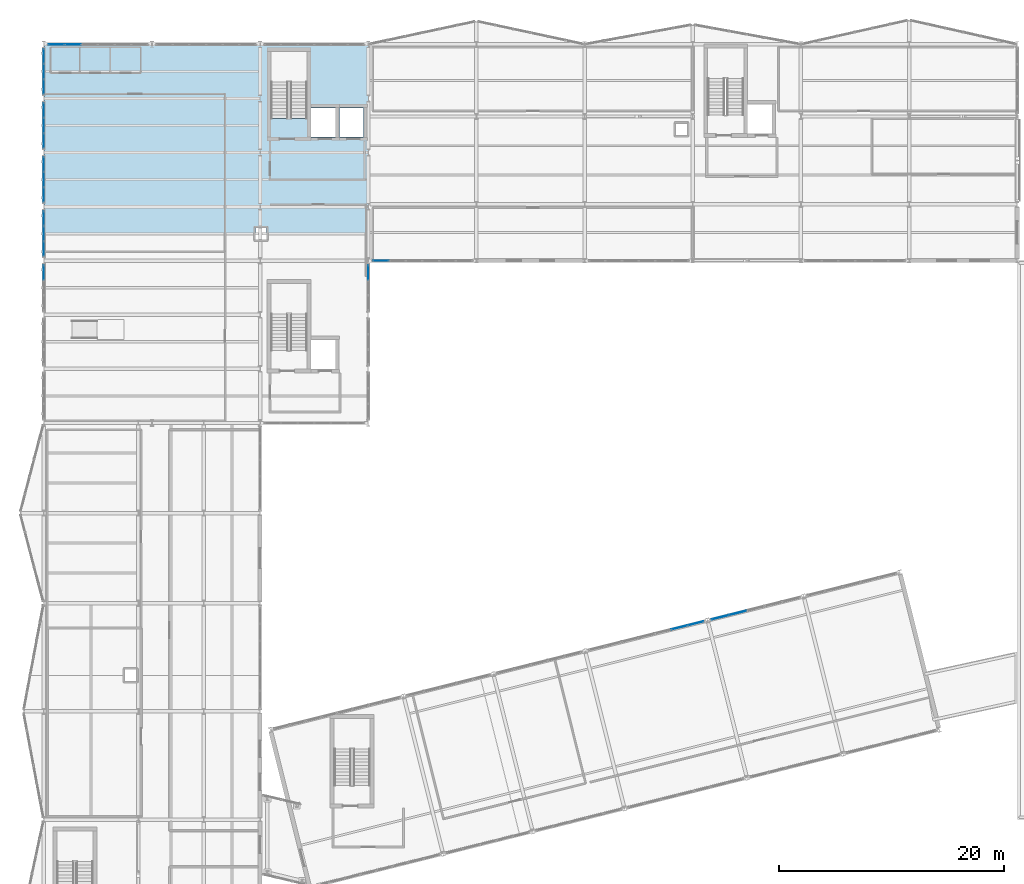
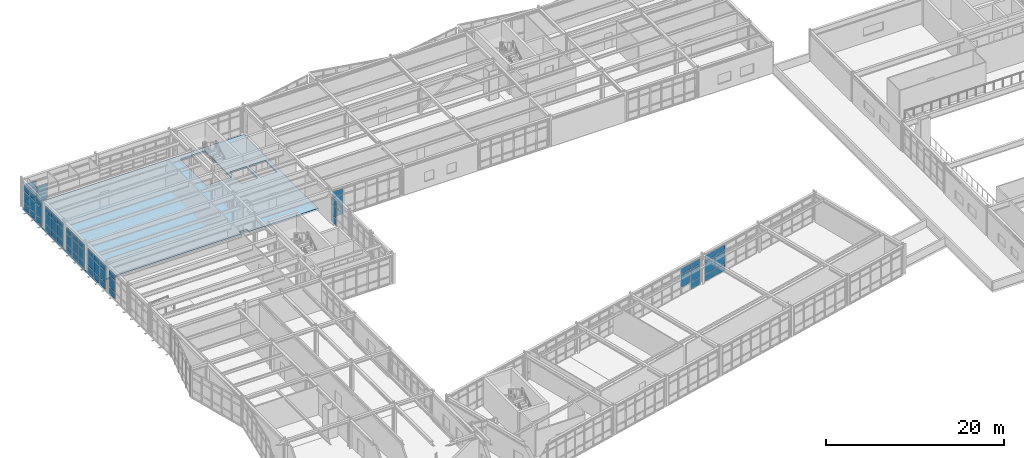
# One storey, part 51 of 76: 61 plates, 1 slab, 10 elements without a shape of their own.
"""IFC4 building model written with IfcOpenShell, lengths in metres."""

from ifc_helpers import new_model, si_unit, direction, frame, origin, origin_2d, place, context, subcontext, project, spatial, polyline, rectangle, outline, extrude, material, layer, layer_set, type_object, element, aggregate, save


model = new_model("IFC4")

# Units and contexts
model_context = context("Model", 3, precision=1e-05, world=origin(), true_north=direction((0.0, 1.0)))
body_context = subcontext(model_context, "Body", "Model", "MODEL_VIEW")
ifc_project = project(units=[si_unit("LENGTHUNIT", "METRE"), si_unit("AREAUNIT", "SQUARE_METRE"), si_unit("VOLUMEUNIT", "CUBIC_METRE"), si_unit("PLANEANGLEUNIT", "RADIAN"), si_unit("MASSUNIT", "GRAM", prefix="KILO")], contexts=[model_context])

# Site, building, storey
site_placement = place(None, origin())
site = spatial("IfcSite", under=ifc_project, at=site_placement, CompositionType="ELEMENT")
building_placement = place(site_placement, origin())
building = spatial("IfcBuilding", under=site, at=building_placement, Name="Nordkorset Police Headquarters", CompositionType="ELEMENT")
storey_placement = place(building_placement, frame((0.0, 0.0, 13.64990234375)))
storey = spatial("IfcBuildingStorey", under=building, at=storey_placement, Name="L03", CompositionType="ELEMENT", Elevation=13.64990234375)

# Curtain wall, plates
ifc_material_1 = material(Name="Aluminium alloy AW-6060", Category="aluminium")
ifc_layer_1 = layer(ifc_material_1, 0.179931640625, Name="Aluminium alloy AW-6060")
ifc_layer_set_1 = layer_set([ifc_layer_1], Name="Aluminium alloy AW-6060")
curtain_wall_type_1 = type_object("IfcCurtainWallType", Name="CW_Unit_408x342", PredefinedType="USERDEFINED", material=ifc_layer_set_1)
curtain_wall_1_placement = place(storey_placement, origin())
curtain_wall_1 = element("IfcCurtainWall", 1, at=curtain_wall_1_placement, inside=storey, type_object=curtain_wall_type_1, Name="Unitised Curtain Wall L03 V1W-2", ObjectType="UNITISED CURTAIN WALL", PredefinedType="USERDEFINED")
ifc_material_2 = material(Name="Low-iron triple glazing", Category="glass")
ifc_layer_2 = layer(ifc_material_2, 0.035888671875, Name="Low-iron triple glazing")
ifc_layer_set_2 = layer_set([ifc_layer_2], Name="Low-iron triple glazing")
plate_type = type_object("IfcPlateType", Name="CW_Panel_TripleGlazing_36", PredefinedType="CURTAIN_PANEL", material=ifc_layer_set_2)
plate_1_placement = place(storey_placement, frame((0.0, 96.543701171875, 0.06494140625), z_axis=(0.0, 0.0, 1.0), x_axis=(0.0, 1.0, 0.0)))
plate_1 = element("IfcPlate", 2, at=plate_1_placement, type_object=plate_type, Name="CW-72 panel 3.1", PredefinedType="CURTAIN_PANEL", context=body_context, shape_type="SweptSolid", body=[
    extrude(rectangle(XDim=1.262451171875, YDim=0.035888671875, at=origin_2d()), origin(), (0.0, 0.0, 1.0), 0.902587890625),
])
plate_2_placement = place(storey_placement, frame((0.0, 96.543701171875, 1.03271484375), z_axis=(0.0, 0.0, 1.0), x_axis=(0.0, 1.0, 0.0)))
plate_2 = element("IfcPlate", 3, at=plate_2_placement, type_object=plate_type, Name="CW-72 panel 3.2", PredefinedType="CURTAIN_PANEL", context=body_context, shape_type="SweptSolid", body=[
    extrude(rectangle(XDim=1.262451171875, YDim=0.035888671875, at=origin_2d()), origin(), (0.0, 0.0, 1.0), 1.5048828125),
])
plate_3_placement = place(storey_placement, frame((0.0, 96.543701171875, 2.6025390625), z_axis=(0.0, 0.0, 1.0), x_axis=(0.0, 1.0, 0.0)))
plate_3 = element("IfcPlate", 4, at=plate_3_placement, type_object=plate_type, Name="CW-72 panel 3.3", PredefinedType="CURTAIN_PANEL", context=body_context, shape_type="SweptSolid", body=[
    extrude(rectangle(XDim=1.262451171875, YDim=0.035888671875, at=origin_2d()), origin(), (0.0, 0.0, 1.0), 0.75244140625),
])
aggregate(curtain_wall_1, [plate_1, plate_2, plate_3])

curtain_wall_2_placement = place(storey_placement, origin())
curtain_wall_2 = element("IfcCurtainWall", 5, at=curtain_wall_2_placement, inside=storey, type_object=curtain_wall_type_1, Name="Unitised Curtain Wall L03 V1W-3", ObjectType="UNITISED CURTAIN WALL", PredefinedType="USERDEFINED")
plate_4_placement = place(storey_placement, frame((0.0, 98.65625, 0.06494140625), z_axis=(0.0, 0.0, 1.0), x_axis=(0.0, 1.0, 0.0)))
plate_4 = element("IfcPlate", 6, at=plate_4_placement, type_object=plate_type, Name="CW-72 panel 1.1", PredefinedType="CURTAIN_PANEL", context=body_context, shape_type="SweptSolid", body=[
    extrude(rectangle(XDim=1.262451171875, YDim=0.035888671875, at=origin_2d()), origin(), (0.0, 0.0, 1.0), 0.902587890625),
])
plate_5_placement = place(storey_placement, frame((0.0, 98.65625, 1.03271484375), z_axis=(0.0, 0.0, 1.0), x_axis=(0.0, 1.0, 0.0)))
plate_5 = element("IfcPlate", 7, at=plate_5_placement, type_object=plate_type, Name="CW-72 panel 1.2", PredefinedType="CURTAIN_PANEL", context=body_context, shape_type="SweptSolid", body=[
    extrude(rectangle(XDim=1.262451171875, YDim=0.035888671875, at=origin_2d()), origin(), (0.0, 0.0, 1.0), 1.5048828125),
])
plate_6_placement = place(storey_placement, frame((0.0, 98.65625, 2.6025390625), z_axis=(0.0, 0.0, 1.0), x_axis=(0.0, 1.0, 0.0)))
plate_6 = element("IfcPlate", 8, at=plate_6_placement, type_object=plate_type, Name="CW-72 panel 1.3", PredefinedType="CURTAIN_PANEL", context=body_context, shape_type="SweptSolid", body=[
    extrude(rectangle(XDim=1.262451171875, YDim=0.035888671875, at=origin_2d()), origin(), (0.0, 0.0, 1.0), 0.75244140625),
])
plate_7_placement = place(storey_placement, frame((0.0, 100.0, 0.06494140625), z_axis=(0.0, 0.0, 1.0), x_axis=(0.0, 1.0, 0.0)))
plate_7 = element("IfcPlate", 9, at=plate_7_placement, type_object=plate_type, Name="CW-72 panel 2.1", PredefinedType="CURTAIN_PANEL", context=body_context, shape_type="SweptSolid", body=[
    extrude(rectangle(XDim=1.294921875, YDim=0.035888671875, at=origin_2d()), origin(), (0.0, 0.0, 1.0), 0.902587890625),
])
plate_8_placement = place(storey_placement, frame((0.0, 100.0, 1.03271484375), z_axis=(0.0, 0.0, 1.0), x_axis=(0.0, 1.0, 0.0)))
plate_8 = element("IfcPlate", 10, at=plate_8_placement, type_object=plate_type, Name="CW-72 panel 2.2", PredefinedType="CURTAIN_PANEL", context=body_context, shape_type="SweptSolid", body=[
    extrude(rectangle(XDim=1.294921875, YDim=0.035888671875, at=origin_2d()), origin(), (0.0, 0.0, 1.0), 1.5048828125),
])
plate_9_placement = place(storey_placement, frame((0.0, 100.0, 2.6025390625), z_axis=(0.0, 0.0, 1.0), x_axis=(0.0, 1.0, 0.0)))
plate_9 = element("IfcPlate", 11, at=plate_9_placement, type_object=plate_type, Name="CW-72 panel 2.3", PredefinedType="CURTAIN_PANEL", context=body_context, shape_type="SweptSolid", body=[
    extrude(rectangle(XDim=1.294921875, YDim=0.035888671875, at=origin_2d()), origin(), (0.0, 0.0, 1.0), 0.75244140625),
])
plate_10_placement = place(storey_placement, frame((0.0, 101.34375, 0.06494140625), z_axis=(0.0, 0.0, 1.0), x_axis=(0.0, 1.0, 0.0)))
plate_10 = element("IfcPlate", 12, at=plate_10_placement, type_object=plate_type, Name="CW-72 panel 3.1", PredefinedType="CURTAIN_PANEL", context=body_context, shape_type="SweptSolid", body=[
    extrude(rectangle(XDim=1.262451171875, YDim=0.035888671875, at=origin_2d()), origin(), (0.0, 0.0, 1.0), 0.902587890625),
])
plate_11_placement = place(storey_placement, frame((0.0, 101.34375, 1.03271484375), z_axis=(0.0, 0.0, 1.0), x_axis=(0.0, 1.0, 0.0)))
plate_11 = element("IfcPlate", 13, at=plate_11_placement, type_object=plate_type, Name="CW-72 panel 3.2", PredefinedType="CURTAIN_PANEL", context=body_context, shape_type="SweptSolid", body=[
    extrude(rectangle(XDim=1.262451171875, YDim=0.035888671875, at=origin_2d()), origin(), (0.0, 0.0, 1.0), 1.5048828125),
])
plate_12_placement = place(storey_placement, frame((0.0, 101.34375, 2.6025390625), z_axis=(0.0, 0.0, 1.0), x_axis=(0.0, 1.0, 0.0)))
plate_12 = element("IfcPlate", 14, at=plate_12_placement, type_object=plate_type, Name="CW-72 panel 3.3", PredefinedType="CURTAIN_PANEL", context=body_context, shape_type="SweptSolid", body=[
    extrude(rectangle(XDim=1.262451171875, YDim=0.035888671875, at=origin_2d()), origin(), (0.0, 0.0, 1.0), 0.75244140625),
])
aggregate(curtain_wall_2, [plate_4, plate_5, plate_6, plate_7, plate_8, plate_9, plate_10, plate_11, plate_12])

curtain_wall_3_placement = place(storey_placement, origin())
curtain_wall_3 = element("IfcCurtainWall", 15, at=curtain_wall_3_placement, inside=storey, type_object=curtain_wall_type_1, Name="Unitised Curtain Wall L03 V1W-4", ObjectType="UNITISED CURTAIN WALL", PredefinedType="USERDEFINED")
plate_13_placement = place(storey_placement, frame((0.0, 103.456298828125, 0.06494140625), z_axis=(0.0, 0.0, 1.0), x_axis=(0.0, 1.0, 0.0)))
plate_13 = element("IfcPlate", 16, at=plate_13_placement, type_object=plate_type, Name="CW-72 panel 1.1", PredefinedType="CURTAIN_PANEL", context=body_context, shape_type="SweptSolid", body=[
    extrude(rectangle(XDim=1.262451171875, YDim=0.035888671875, at=origin_2d()), origin(), (0.0, 0.0, 1.0), 0.902587890625),
])
plate_14_placement = place(storey_placement, frame((0.0, 103.456298828125, 1.03271484375), z_axis=(0.0, 0.0, 1.0), x_axis=(0.0, 1.0, 0.0)))
plate_14 = element("IfcPlate", 17, at=plate_14_placement, type_object=plate_type, Name="CW-72 panel 1.2", PredefinedType="CURTAIN_PANEL", context=body_context, shape_type="SweptSolid", body=[
    extrude(rectangle(XDim=1.262451171875, YDim=0.035888671875, at=origin_2d()), origin(), (0.0, 0.0, 1.0), 1.5048828125),
])
plate_15_placement = place(storey_placement, frame((0.0, 103.456298828125, 2.6025390625), z_axis=(0.0, 0.0, 1.0), x_axis=(0.0, 1.0, 0.0)))
plate_15 = element("IfcPlate", 18, at=plate_15_placement, type_object=plate_type, Name="CW-72 panel 1.3", PredefinedType="CURTAIN_PANEL", context=body_context, shape_type="SweptSolid", body=[
    extrude(rectangle(XDim=1.262451171875, YDim=0.035888671875, at=origin_2d()), origin(), (0.0, 0.0, 1.0), 0.75244140625),
])
plate_16_placement = place(storey_placement, frame((0.0, 104.800048828125, 0.06494140625), z_axis=(0.0, 0.0, 1.0), x_axis=(0.0, 1.0, 0.0)))
plate_16 = element("IfcPlate", 19, at=plate_16_placement, type_object=plate_type, Name="CW-72 panel 2.1", PredefinedType="CURTAIN_PANEL", context=body_context, shape_type="SweptSolid", body=[
    extrude(rectangle(XDim=1.294921875, YDim=0.035888671875, at=origin_2d()), origin(), (0.0, 0.0, 1.0), 0.902587890625),
])
plate_17_placement = place(storey_placement, frame((0.0, 104.800048828125, 1.03271484375), z_axis=(0.0, 0.0, 1.0), x_axis=(0.0, 1.0, 0.0)))
plate_17 = element("IfcPlate", 20, at=plate_17_placement, type_object=plate_type, Name="CW-72 panel 2.2", PredefinedType="CURTAIN_PANEL", context=body_context, shape_type="SweptSolid", body=[
    extrude(rectangle(XDim=1.294921875, YDim=0.035888671875, at=origin_2d()), origin(), (0.0, 0.0, 1.0), 1.5048828125),
])
plate_18_placement = place(storey_placement, frame((0.0, 104.800048828125, 2.6025390625), z_axis=(0.0, 0.0, 1.0), x_axis=(0.0, 1.0, 0.0)))
plate_18 = element("IfcPlate", 21, at=plate_18_placement, type_object=plate_type, Name="CW-72 panel 2.3", PredefinedType="CURTAIN_PANEL", context=body_context, shape_type="SweptSolid", body=[
    extrude(rectangle(XDim=1.294921875, YDim=0.035888671875, at=origin_2d()), origin(), (0.0, 0.0, 1.0), 0.75244140625),
])
plate_19_placement = place(storey_placement, frame((0.0, 106.143798828125, 0.06494140625), z_axis=(0.0, 0.0, 1.0), x_axis=(0.0, 1.0, 0.0)))
plate_19 = element("IfcPlate", 22, at=plate_19_placement, type_object=plate_type, Name="CW-72 panel 3.1", PredefinedType="CURTAIN_PANEL", context=body_context, shape_type="SweptSolid", body=[
    extrude(rectangle(XDim=1.262451171875, YDim=0.035888671875, at=origin_2d()), origin(), (0.0, 0.0, 1.0), 0.902587890625),
])
plate_20_placement = place(storey_placement, frame((0.0, 106.143798828125, 1.03271484375), z_axis=(0.0, 0.0, 1.0), x_axis=(0.0, 1.0, 0.0)))
plate_20 = element("IfcPlate", 23, at=plate_20_placement, type_object=plate_type, Name="CW-72 panel 3.2", PredefinedType="CURTAIN_PANEL", context=body_context, shape_type="SweptSolid", body=[
    extrude(rectangle(XDim=1.262451171875, YDim=0.035888671875, at=origin_2d()), origin(), (0.0, 0.0, 1.0), 1.5048828125),
])
plate_21_placement = place(storey_placement, frame((0.0, 106.143798828125, 2.6025390625), z_axis=(0.0, 0.0, 1.0), x_axis=(0.0, 1.0, 0.0)))
plate_21 = element("IfcPlate", 24, at=plate_21_placement, type_object=plate_type, Name="CW-72 panel 3.3", PredefinedType="CURTAIN_PANEL", context=body_context, shape_type="SweptSolid", body=[
    extrude(rectangle(XDim=1.262451171875, YDim=0.035888671875, at=origin_2d()), origin(), (0.0, 0.0, 1.0), 0.75244140625),
])
aggregate(curtain_wall_3, [plate_13, plate_14, plate_15, plate_16, plate_17, plate_18, plate_19, plate_20, plate_21])

curtain_wall_4_placement = place(storey_placement, origin())
curtain_wall_4 = element("IfcCurtainWall", 25, at=curtain_wall_4_placement, inside=storey, type_object=curtain_wall_type_1, Name="Unitised Curtain Wall L03 V1W-5", ObjectType="UNITISED CURTAIN WALL", PredefinedType="USERDEFINED")
plate_22_placement = place(storey_placement, frame((0.0, 108.25634765625, 0.06494140625), z_axis=(0.0, 0.0, 1.0), x_axis=(0.0, 1.0, 0.0)))
plate_22 = element("IfcPlate", 26, at=plate_22_placement, type_object=plate_type, Name="CW-72 panel 1.1", PredefinedType="CURTAIN_PANEL", context=body_context, shape_type="SweptSolid", body=[
    extrude(rectangle(XDim=1.262451171875, YDim=0.035888671875, at=origin_2d()), origin(), (0.0, 0.0, 1.0), 0.902587890625),
])
plate_23_placement = place(storey_placement, frame((0.0, 108.25634765625, 1.03271484375), z_axis=(0.0, 0.0, 1.0), x_axis=(0.0, 1.0, 0.0)))
plate_23 = element("IfcPlate", 27, at=plate_23_placement, type_object=plate_type, Name="CW-72 panel 1.2", PredefinedType="CURTAIN_PANEL", context=body_context, shape_type="SweptSolid", body=[
    extrude(rectangle(XDim=1.262451171875, YDim=0.035888671875, at=origin_2d()), origin(), (0.0, 0.0, 1.0), 1.5048828125),
])
plate_24_placement = place(storey_placement, frame((0.0, 108.25634765625, 2.6025390625), z_axis=(0.0, 0.0, 1.0), x_axis=(0.0, 1.0, 0.0)))
plate_24 = element("IfcPlate", 28, at=plate_24_placement, type_object=plate_type, Name="CW-72 panel 1.3", PredefinedType="CURTAIN_PANEL", context=body_context, shape_type="SweptSolid", body=[
    extrude(rectangle(XDim=1.262451171875, YDim=0.035888671875, at=origin_2d()), origin(), (0.0, 0.0, 1.0), 0.75244140625),
])
plate_25_placement = place(storey_placement, frame((0.0, 109.60009765625, 0.06494140625), z_axis=(0.0, 0.0, 1.0), x_axis=(0.0, 1.0, 0.0)))
plate_25 = element("IfcPlate", 29, at=plate_25_placement, type_object=plate_type, Name="CW-72 panel 2.1", PredefinedType="CURTAIN_PANEL", context=body_context, shape_type="SweptSolid", body=[
    extrude(rectangle(XDim=1.294921875, YDim=0.035888671875, at=origin_2d()), origin(), (0.0, 0.0, 1.0), 0.902587890625),
])
plate_26_placement = place(storey_placement, frame((0.0, 109.60009765625, 1.03271484375), z_axis=(0.0, 0.0, 1.0), x_axis=(0.0, 1.0, 0.0)))
plate_26 = element("IfcPlate", 30, at=plate_26_placement, type_object=plate_type, Name="CW-72 panel 2.2", PredefinedType="CURTAIN_PANEL", context=body_context, shape_type="SweptSolid", body=[
    extrude(rectangle(XDim=1.294921875, YDim=0.035888671875, at=origin_2d()), origin(), (0.0, 0.0, 1.0), 1.5048828125),
])
plate_27_placement = place(storey_placement, frame((0.0, 109.60009765625, 2.6025390625), z_axis=(0.0, 0.0, 1.0), x_axis=(0.0, 1.0, 0.0)))
plate_27 = element("IfcPlate", 31, at=plate_27_placement, type_object=plate_type, Name="CW-72 panel 2.3", PredefinedType="CURTAIN_PANEL", context=body_context, shape_type="SweptSolid", body=[
    extrude(rectangle(XDim=1.294921875, YDim=0.035888671875, at=origin_2d()), origin(), (0.0, 0.0, 1.0), 0.75244140625),
])
plate_28_placement = place(storey_placement, frame((0.0, 110.94384765625, 0.06494140625), z_axis=(0.0, 0.0, 1.0), x_axis=(0.0, 1.0, 0.0)))
plate_28 = element("IfcPlate", 32, at=plate_28_placement, type_object=plate_type, Name="CW-72 panel 3.1", PredefinedType="CURTAIN_PANEL", context=body_context, shape_type="SweptSolid", body=[
    extrude(rectangle(XDim=1.262451171875, YDim=0.035888671875, at=origin_2d()), origin(), (0.0, 0.0, 1.0), 0.902587890625),
])
plate_29_placement = place(storey_placement, frame((0.0, 110.94384765625, 1.03271484375), z_axis=(0.0, 0.0, 1.0), x_axis=(0.0, 1.0, 0.0)))
plate_29 = element("IfcPlate", 33, at=plate_29_placement, type_object=plate_type, Name="CW-72 panel 3.2", PredefinedType="CURTAIN_PANEL", context=body_context, shape_type="SweptSolid", body=[
    extrude(rectangle(XDim=1.262451171875, YDim=0.035888671875, at=origin_2d()), origin(), (0.0, 0.0, 1.0), 1.5048828125),
])
plate_30_placement = place(storey_placement, frame((0.0, 110.94384765625, 2.6025390625), z_axis=(0.0, 0.0, 1.0), x_axis=(0.0, 1.0, 0.0)))
plate_30 = element("IfcPlate", 34, at=plate_30_placement, type_object=plate_type, Name="CW-72 panel 3.3", PredefinedType="CURTAIN_PANEL", context=body_context, shape_type="SweptSolid", body=[
    extrude(rectangle(XDim=1.262451171875, YDim=0.035888671875, at=origin_2d()), origin(), (0.0, 0.0, 1.0), 0.75244140625),
])
aggregate(curtain_wall_4, [plate_22, plate_23, plate_24, plate_25, plate_26, plate_27, plate_28, plate_29, plate_30])

curtain_wall_5_placement = place(storey_placement, origin())
curtain_wall_5 = element("IfcCurtainWall", 35, at=curtain_wall_5_placement, inside=storey, type_object=curtain_wall_type_1, Name="Unitised Curtain Wall L03 V1W-6", ObjectType="UNITISED CURTAIN WALL", PredefinedType="USERDEFINED")
plate_31_placement = place(storey_placement, frame((0.0, 113.05615234375, 0.06494140625), z_axis=(0.0, 0.0, 1.0), x_axis=(0.0, 1.0, 0.0)))
plate_31 = element("IfcPlate", 36, at=plate_31_placement, type_object=plate_type, Name="CW-72 panel 1.1", PredefinedType="CURTAIN_PANEL", context=body_context, shape_type="SweptSolid", body=[
    extrude(rectangle(XDim=1.262451171875, YDim=0.035888671875, at=origin_2d()), origin(), (0.0, 0.0, 1.0), 0.902587890625),
])
plate_32_placement = place(storey_placement, frame((0.0, 113.05615234375, 1.03271484375), z_axis=(0.0, 0.0, 1.0), x_axis=(0.0, 1.0, 0.0)))
plate_32 = element("IfcPlate", 37, at=plate_32_placement, type_object=plate_type, Name="CW-72 panel 1.2", PredefinedType="CURTAIN_PANEL", context=body_context, shape_type="SweptSolid", body=[
    extrude(rectangle(XDim=1.262451171875, YDim=0.035888671875, at=origin_2d()), origin(), (0.0, 0.0, 1.0), 1.5048828125),
])
plate_33_placement = place(storey_placement, frame((0.0, 113.05615234375, 2.6025390625), z_axis=(0.0, 0.0, 1.0), x_axis=(0.0, 1.0, 0.0)))
plate_33 = element("IfcPlate", 38, at=plate_33_placement, type_object=plate_type, Name="CW-72 panel 1.3", PredefinedType="CURTAIN_PANEL", context=body_context, shape_type="SweptSolid", body=[
    extrude(rectangle(XDim=1.262451171875, YDim=0.035888671875, at=origin_2d()), origin(), (0.0, 0.0, 1.0), 0.75244140625),
])
plate_34_placement = place(storey_placement, frame((0.0, 114.39990234375, 0.06494140625), z_axis=(0.0, 0.0, 1.0), x_axis=(0.0, 1.0, 0.0)))
plate_34 = element("IfcPlate", 39, at=plate_34_placement, type_object=plate_type, Name="CW-72 panel 2.1", PredefinedType="CURTAIN_PANEL", context=body_context, shape_type="SweptSolid", body=[
    extrude(rectangle(XDim=1.294921875, YDim=0.035888671875, at=origin_2d()), origin(), (0.0, 0.0, 1.0), 0.902587890625),
])
plate_35_placement = place(storey_placement, frame((0.0, 114.39990234375, 1.03271484375), z_axis=(0.0, 0.0, 1.0), x_axis=(0.0, 1.0, 0.0)))
plate_35 = element("IfcPlate", 40, at=plate_35_placement, type_object=plate_type, Name="CW-72 panel 2.2", PredefinedType="CURTAIN_PANEL", context=body_context, shape_type="SweptSolid", body=[
    extrude(rectangle(XDim=1.294921875, YDim=0.035888671875, at=origin_2d()), origin(), (0.0, 0.0, 1.0), 1.5048828125),
])
plate_36_placement = place(storey_placement, frame((0.0, 114.39990234375, 2.6025390625), z_axis=(0.0, 0.0, 1.0), x_axis=(0.0, 1.0, 0.0)))
plate_36 = element("IfcPlate", 41, at=plate_36_placement, type_object=plate_type, Name="CW-72 panel 2.3", PredefinedType="CURTAIN_PANEL", context=body_context, shape_type="SweptSolid", body=[
    extrude(rectangle(XDim=1.294921875, YDim=0.035888671875, at=origin_2d()), origin(), (0.0, 0.0, 1.0), 0.75244140625),
])
plate_37_placement = place(storey_placement, frame((0.0, 115.74365234375, 0.06494140625), z_axis=(0.0, 0.0, 1.0), x_axis=(0.0, 1.0, 0.0)))
plate_37 = element("IfcPlate", 42, at=plate_37_placement, type_object=plate_type, Name="CW-72 panel 3.1", PredefinedType="CURTAIN_PANEL", context=body_context, shape_type="SweptSolid", body=[
    extrude(rectangle(XDim=1.262451171875, YDim=0.035888671875, at=origin_2d()), origin(), (0.0, 0.0, 1.0), 0.902587890625),
])
plate_38_placement = place(storey_placement, frame((0.0, 115.74365234375, 1.03271484375), z_axis=(0.0, 0.0, 1.0), x_axis=(0.0, 1.0, 0.0)))
plate_38 = element("IfcPlate", 43, at=plate_38_placement, type_object=plate_type, Name="CW-72 panel 3.2", PredefinedType="CURTAIN_PANEL", context=body_context, shape_type="SweptSolid", body=[
    extrude(rectangle(XDim=1.262451171875, YDim=0.035888671875, at=origin_2d()), origin(), (0.0, 0.0, 1.0), 1.5048828125),
])
plate_39_placement = place(storey_placement, frame((0.0, 115.74365234375, 2.6025390625), z_axis=(0.0, 0.0, 1.0), x_axis=(0.0, 1.0, 0.0)))
plate_39 = element("IfcPlate", 44, at=plate_39_placement, type_object=plate_type, Name="CW-72 panel 3.3", PredefinedType="CURTAIN_PANEL", context=body_context, shape_type="SweptSolid", body=[
    extrude(rectangle(XDim=1.262451171875, YDim=0.035888671875, at=origin_2d()), origin(), (0.0, 0.0, 1.0), 0.75244140625),
])
aggregate(curtain_wall_5, [plate_31, plate_32, plate_33, plate_34, plate_35, plate_36, plate_37, plate_38, plate_39])

ifc_material_3 = material(Name="Aluminium alloy AW-6060", Category="aluminium")
ifc_layer_3 = layer(ifc_material_3, 0.179931640625, Name="Aluminium alloy AW-6060")
ifc_layer_set_3 = layer_set([ifc_layer_3], Name="Aluminium alloy AW-6060")
curtain_wall_type_2 = type_object("IfcCurtainWallType", Name="CW_Unit_888x316", PredefinedType="USERDEFINED", material=ifc_layer_set_3)
curtain_wall_6_placement = place(storey_placement, origin())
curtain_wall_6 = element("IfcCurtainWall", 45, at=curtain_wall_6_placement, inside=storey, type_object=curtain_wall_type_2, Name="Unitised Curtain Wall L03 V1N-0", ObjectType="UNITISED CURTAIN WALL", PredefinedType="USERDEFINED")
plate_40_placement = place(storey_placement, frame((1.1162109375, 116.800048828125, 0.06494140625), z_axis=(0.0, 0.0, 1.0), x_axis=(1.0, 0.0, 0.0)))
plate_40 = element("IfcPlate", 46, at=plate_40_placement, type_object=plate_type, Name="CW-109 panel 1.1", PredefinedType="CURTAIN_PANEL", context=body_context, shape_type="SweptSolid", body=[
    extrude(rectangle(XDim=1.382568359375, YDim=0.035888671875, at=origin_2d()), origin(), (0.0, 0.0, 1.0), 0.902587890625),
])
plate_41_placement = place(storey_placement, frame((1.1162109375, 116.800048828125, 1.032470703125), z_axis=(0.0, 0.0, 1.0), x_axis=(1.0, 0.0, 0.0)))
plate_41 = element("IfcPlate", 47, at=plate_41_placement, type_object=plate_type, Name="CW-109 panel 1.2", PredefinedType="CURTAIN_PANEL", context=body_context, shape_type="SweptSolid", body=[
    extrude(rectangle(XDim=1.382568359375, YDim=0.035888671875, at=origin_2d()), origin(), (0.0, 0.0, 1.0), 1.2451171875),
])
plate_42_placement = place(storey_placement, frame((1.1162109375, 116.800048828125, 2.342529296875), z_axis=(0.0, 0.0, 1.0), x_axis=(1.0, 0.0, 0.0)))
plate_42 = element("IfcPlate", 48, at=plate_42_placement, type_object=plate_type, Name="CW-109 panel 1.3", PredefinedType="CURTAIN_PANEL", context=body_context, shape_type="SweptSolid", body=[
    extrude(rectangle(XDim=1.382568359375, YDim=0.035888671875, at=origin_2d()), origin(), (0.0, 0.0, 1.0), 0.75244140625),
])
plate_43_placement = place(storey_placement, frame((2.580078125, 116.800048828125, 0.06494140625), z_axis=(0.0, 0.0, 1.0), x_axis=(1.0, 0.0, 0.0)))
plate_43 = element("IfcPlate", 49, at=plate_43_placement, type_object=plate_type, Name="CW-109 panel 2.1", PredefinedType="CURTAIN_PANEL", context=body_context, shape_type="SweptSolid", body=[
    extrude(rectangle(XDim=1.4150390625, YDim=0.035888671875, at=origin_2d()), origin(), (0.0, 0.0, 1.0), 0.902587890625),
])
plate_44_placement = place(storey_placement, frame((2.580078125, 116.800048828125, 1.032470703125), z_axis=(0.0, 0.0, 1.0), x_axis=(1.0, 0.0, 0.0)))
plate_44 = element("IfcPlate", 50, at=plate_44_placement, type_object=plate_type, Name="CW-109 panel 2.2", PredefinedType="CURTAIN_PANEL", context=body_context, shape_type="SweptSolid", body=[
    extrude(rectangle(XDim=1.4150390625, YDim=0.035888671875, at=origin_2d()), origin(), (0.0, 0.0, 1.0), 1.2451171875),
])
aggregate(curtain_wall_6, [plate_40, plate_41, plate_42, plate_43, plate_44])

curtain_wall_7_placement = place(storey_placement, origin())
curtain_wall_7 = element("IfcCurtainWall", 51, at=curtain_wall_7_placement, inside=storey, type_object=curtain_wall_type_1, Name="Unitised Curtain Wall L03 V1E-2", ObjectType="UNITISED CURTAIN WALL", PredefinedType="USERDEFINED")
plate_45_placement = place(storey_placement, frame((28.800048828125, 96.543701171875, 0.06494140625), z_axis=(0.0, 0.0, 1.0), x_axis=(0.0, 1.0, 0.0)))
plate_45 = element("IfcPlate", 52, at=plate_45_placement, type_object=plate_type, Name="CW-72 panel 3.1", PredefinedType="CURTAIN_PANEL", context=body_context, shape_type="SweptSolid", body=[
    extrude(rectangle(XDim=1.262451171875, YDim=0.035888671875, at=origin_2d()), origin(), (0.0, 0.0, 1.0), 0.902587890625),
])
plate_46_placement = place(storey_placement, frame((28.800048828125, 96.543701171875, 1.03271484375), z_axis=(0.0, 0.0, 1.0), x_axis=(0.0, 1.0, 0.0)))
plate_46 = element("IfcPlate", 53, at=plate_46_placement, type_object=plate_type, Name="CW-72 panel 3.2", PredefinedType="CURTAIN_PANEL", context=body_context, shape_type="SweptSolid", body=[
    extrude(rectangle(XDim=1.262451171875, YDim=0.035888671875, at=origin_2d()), origin(), (0.0, 0.0, 1.0), 1.5048828125),
])
plate_47_placement = place(storey_placement, frame((28.800048828125, 96.543701171875, 2.6025390625), z_axis=(0.0, 0.0, 1.0), x_axis=(0.0, 1.0, 0.0)))
plate_47 = element("IfcPlate", 54, at=plate_47_placement, type_object=plate_type, Name="CW-72 panel 3.3", PredefinedType="CURTAIN_PANEL", context=body_context, shape_type="SweptSolid", body=[
    extrude(rectangle(XDim=1.262451171875, YDim=0.035888671875, at=origin_2d()), origin(), (0.0, 0.0, 1.0), 0.75244140625),
])
aggregate(curtain_wall_7, [plate_45, plate_46, plate_47])

ifc_material_4 = material(Name="Aluminium alloy AW-6060", Category="aluminium")
ifc_layer_4 = layer(ifc_material_4, 0.179931640625, Name="Aluminium alloy AW-6060")
ifc_layer_set_4 = layer_set([ifc_layer_4], Name="Aluminium alloy AW-6060")
curtain_wall_type_3 = type_object("IfcCurtainWallType", Name="CW_Unit_888x365", PredefinedType="USERDEFINED", material=ifc_layer_set_4)
curtain_wall_8_placement = place(storey_placement, origin())
curtain_wall_8 = element("IfcCurtainWall", 55, at=curtain_wall_8_placement, inside=storey, type_object=curtain_wall_type_3, Name="Unitised Curtain Wall L03 V2S-0", ObjectType="UNITISED CURTAIN WALL", PredefinedType="USERDEFINED")
plate_48_placement = place(storey_placement, frame((29.916259765625, 97.60009765625, 0.06494140625), z_axis=(0.0, 0.0, 1.0), x_axis=(1.0, 0.0, 0.0)))
plate_48 = element("IfcPlate", 56, at=plate_48_placement, type_object=plate_type, Name="CW-26 panel 1.1", PredefinedType="CURTAIN_PANEL", context=body_context, shape_type="SweptSolid", body=[
    extrude(rectangle(XDim=1.382568359375, YDim=0.035888671875, at=origin_2d()), origin(), (0.0, 0.0, 1.0), 0.902587890625),
])
plate_49_placement = place(storey_placement, frame((29.916259765625, 97.60009765625, 1.03271484375), z_axis=(0.0, 0.0, 1.0), x_axis=(1.0, 0.0, 0.0)))
plate_49 = element("IfcPlate", 57, at=plate_49_placement, type_object=plate_type, Name="CW-26 panel 1.2", PredefinedType="CURTAIN_PANEL", context=body_context, shape_type="SweptSolid", body=[
    extrude(rectangle(XDim=1.382568359375, YDim=0.035888671875, at=origin_2d()), origin(), (0.0, 0.0, 1.0), 1.735107421875),
])
plate_50_placement = place(storey_placement, frame((29.916259765625, 97.60009765625, 2.83251953125), z_axis=(0.0, 0.0, 1.0), x_axis=(1.0, 0.0, 0.0)))
plate_50 = element("IfcPlate", 58, at=plate_50_placement, type_object=plate_type, Name="CW-26 panel 1.3", PredefinedType="CURTAIN_PANEL", context=body_context, shape_type="SweptSolid", body=[
    extrude(rectangle(XDim=1.382568359375, YDim=0.035888671875, at=origin_2d()), origin(), (0.0, 0.0, 1.0), 0.75244140625),
])
aggregate(curtain_wall_8, [plate_48, plate_49, plate_50])

ifc_material_5 = material(Name="Aluminium alloy AW-6060", Category="aluminium")
ifc_layer_5 = layer(ifc_material_5, 0.179931640625, Name="Aluminium alloy AW-6060")
ifc_layer_set_5 = layer_set([ifc_layer_5], Name="Aluminium alloy AW-6060")
curtain_wall_type_4 = type_object("IfcCurtainWallType", Name="CW_Unit_1056x365", PredefinedType="USERDEFINED", material=ifc_layer_set_5)
curtain_wall_9_placement = place(storey_placement, origin())
curtain_wall_9 = element("IfcCurtainWall", 59, at=curtain_wall_9_placement, inside=storey, type_object=curtain_wall_type_4, Name="Unitised Curtain Wall L03 V4N-3", ObjectType="UNITISED CURTAIN WALL", PredefinedType="USERDEFINED")
plate_51_placement = place(storey_placement, frame((56.407470703125, 65.045166015625, 1.03271484375), z_axis=(0.0, 0.0, 1.0), x_axis=(0.970142388735, 0.242536070676, 0.0)))
plate_51 = element("IfcPlate", 60, at=plate_51_placement, type_object=plate_type, Name="CW-11 panel 6.2", PredefinedType="CURTAIN_PANEL", context=body_context, shape_type="SweptSolid", body=[
    extrude(rectangle(XDim=1.443603515625, YDim=0.035888671875, at=origin_2d()), origin(), (0.0, 0.0, 1.0), 1.735107421875),
])
plate_52_placement = place(storey_placement, frame((56.407470703125, 65.045166015625, 2.83251953125), z_axis=(0.0, 0.0, 1.0), x_axis=(0.970142388735, 0.242536070676, 0.0)))
plate_52 = element("IfcPlate", 61, at=plate_52_placement, type_object=plate_type, Name="CW-11 panel 6.3", PredefinedType="CURTAIN_PANEL", context=body_context, shape_type="SweptSolid", body=[
    extrude(rectangle(XDim=1.443603515625, YDim=0.035888671875, at=origin_2d()), origin(), (0.0, 0.0, 1.0), 0.75244140625),
])
plate_53_placement = place(storey_placement, frame((57.855224609375, 65.406982421875, 0.06494140625), z_axis=(0.0, 0.0, 1.0), x_axis=(0.970142388735, 0.242536070676, 0.0)))
plate_53 = element("IfcPlate", 62, at=plate_53_placement, type_object=plate_type, Name="CW-11 panel 7.1", PredefinedType="CURTAIN_PANEL", context=body_context, shape_type="SweptSolid", body=[
    extrude(rectangle(XDim=1.4111328125, YDim=0.035888671875, at=origin_2d()), origin(), (0.0, 0.0, 1.0), 0.902587890625),
])
plate_54_placement = place(storey_placement, frame((57.855224609375, 65.406982421875, 1.03271484375), z_axis=(0.0, 0.0, 1.0), x_axis=(0.970142388735, 0.242536070676, 0.0)))
plate_54 = element("IfcPlate", 63, at=plate_54_placement, type_object=plate_type, Name="CW-11 panel 7.2", PredefinedType="CURTAIN_PANEL", context=body_context, shape_type="SweptSolid", body=[
    extrude(rectangle(XDim=1.4111328125, YDim=0.035888671875, at=origin_2d()), origin(), (0.0, 0.0, 1.0), 1.735107421875),
])
plate_55_placement = place(storey_placement, frame((57.855224609375, 65.406982421875, 2.83251953125), z_axis=(0.0, 0.0, 1.0), x_axis=(0.970142388735, 0.242536070676, 0.0)))
plate_55 = element("IfcPlate", 64, at=plate_55_placement, type_object=plate_type, Name="CW-11 panel 7.3", PredefinedType="CURTAIN_PANEL", context=body_context, shape_type="SweptSolid", body=[
    extrude(rectangle(XDim=1.4111328125, YDim=0.035888671875, at=origin_2d()), origin(), (0.0, 0.0, 1.0), 0.75244140625),
])
aggregate(curtain_wall_9, [plate_51, plate_52, plate_53, plate_54, plate_55])

ifc_material_6 = material(Name="Aluminium alloy AW-6060", Category="aluminium")
ifc_layer_6 = layer(ifc_material_6, 0.179931640625, Name="Aluminium alloy AW-6060")
ifc_layer_set_6 = layer_set([ifc_layer_6], Name="Aluminium alloy AW-6060")
curtain_wall_type_5 = type_object("IfcCurtainWallType", Name="CW_Unit_816x366", PredefinedType="USERDEFINED", material=ifc_layer_set_6)
curtain_wall_10_placement = place(storey_placement, origin())
curtain_wall_10 = element("IfcCurtainWall", 65, at=curtain_wall_10_placement, inside=storey, type_object=curtain_wall_type_5, Name="Unitised Curtain Wall L03 V4N-4", ObjectType="UNITISED CURTAIN WALL", PredefinedType="USERDEFINED")
plate_56_placement = place(storey_placement, frame((60.031005859375, 65.950927734375, 0.06494140625), z_axis=(0.0, 0.0, 1.0), x_axis=(0.970142572234, 0.242535336683, 0.0)))
plate_56 = element("IfcPlate", 66, at=plate_56_placement, type_object=plate_type, Name="CW-87 panel 1.1", PredefinedType="CURTAIN_PANEL", context=body_context, shape_type="SweptSolid", body=[
    extrude(rectangle(XDim=1.534423828125, YDim=0.035888671875, at=origin_2d()), origin(), (0.0, 0.0, 1.0), 0.902587890625),
])
plate_57_placement = place(storey_placement, frame((60.031005859375, 65.950927734375, 1.03271484375), z_axis=(0.0, 0.0, 1.0), x_axis=(0.970142572234, 0.242535336683, 0.0)))
plate_57 = element("IfcPlate", 67, at=plate_57_placement, type_object=plate_type, Name="CW-87 panel 1.2", PredefinedType="CURTAIN_PANEL", context=body_context, shape_type="SweptSolid", body=[
    extrude(rectangle(XDim=1.534423828125, YDim=0.035888671875, at=origin_2d()), origin(), (0.0, 0.0, 1.0), 1.739990234375),
])
plate_58_placement = place(storey_placement, frame((60.031005859375, 65.950927734375, 2.837646484375), z_axis=(0.0, 0.0, 1.0), x_axis=(0.970142572234, 0.242535336683, 0.0)))
plate_58 = element("IfcPlate", 68, at=plate_58_placement, type_object=plate_type, Name="CW-87 panel 1.3", PredefinedType="CURTAIN_PANEL", context=body_context, shape_type="SweptSolid", body=[
    extrude(rectangle(XDim=1.534423828125, YDim=0.035888671875, at=origin_2d()), origin(), (0.0, 0.0, 1.0), 0.75244140625),
])
plate_59_placement = place(storey_placement, frame((61.5986328125, 66.3427734375, 0.06494140625), z_axis=(0.0, 0.0, 1.0), x_axis=(0.970142572234, 0.242535336683, 0.0)))
plate_59 = element("IfcPlate", 69, at=plate_59_placement, type_object=plate_type, Name="CW-87 panel 2.1", PredefinedType="CURTAIN_PANEL", context=body_context, shape_type="SweptSolid", body=[
    extrude(rectangle(XDim=1.56689453125, YDim=0.035888671875, at=origin_2d()), origin(), (0.0, 0.0, 1.0), 0.902587890625),
])
plate_60_placement = place(storey_placement, frame((61.5986328125, 66.3427734375, 1.03271484375), z_axis=(0.0, 0.0, 1.0), x_axis=(0.970142572234, 0.242535336683, 0.0)))
plate_60 = element("IfcPlate", 70, at=plate_60_placement, type_object=plate_type, Name="CW-87 panel 2.2", PredefinedType="CURTAIN_PANEL", context=body_context, shape_type="SweptSolid", body=[
    extrude(rectangle(XDim=1.56689453125, YDim=0.035888671875, at=origin_2d()), origin(), (0.0, 0.0, 1.0), 1.739990234375),
])
plate_61_placement = place(storey_placement, frame((61.5986328125, 66.3427734375, 2.837646484375), z_axis=(0.0, 0.0, 1.0), x_axis=(0.970142572234, 0.242535336683, 0.0)))
plate_61 = element("IfcPlate", 71, at=plate_61_placement, type_object=plate_type, Name="CW-87 panel 2.3", PredefinedType="CURTAIN_PANEL", context=body_context, shape_type="SweptSolid", body=[
    extrude(rectangle(XDim=1.56689453125, YDim=0.035888671875, at=origin_2d()), origin(), (0.0, 0.0, 1.0), 0.75244140625),
])
aggregate(curtain_wall_10, [plate_56, plate_57, plate_58, plate_59, plate_60, plate_61])

# Slab
ifc_material_7 = material(Name="Concrete C35/45", Category="concrete")
ifc_layer_7 = layer(ifc_material_7, 0.22998046875, Name="Concrete C35/45")
ifc_layer_set_7 = layer_set([ifc_layer_7], Name="Concrete C35/45")
slab_type = type_object("IfcSlabType", Name="Slab_Lab_230", PredefinedType="FLOOR", material=ifc_layer_set_7)
slab_placement = place(storey_placement, frame((0.0, 0.0, -0.22998046875)))
element("IfcSlab", 72, at=slab_placement, inside=storey, type_object=slab_type, Name="Composite Floor Slab V1 North L03", PredefinedType="FLOOR", context=body_context, shape_type="SweptSolid", body=[
    extrude(outline(polyline([(28.800048828125, 100.0048828125), (19.780029296875, 100.0048828125), (19.780029296875, 100.5), (18.780029296875, 100.5), (18.780029296875, 100.0048828125), (0.0, 100.0048828125), (0.0, 116.800048828125), (28.800048828125, 116.800048828125), (28.800048828125, 100.0048828125)]), holes=[polyline([(20.175048828125, 110.22802734375), (23.375, 110.22802734375), (23.375, 116.175048828125), (20.175048828125, 116.175048828125), (20.175048828125, 110.22802734375)]), polyline([(23.72509765625, 111.175048828125), (23.72509765625, 108.574951171875), (25.875, 108.574951171875), (25.875, 111.175048828125), (23.72509765625, 111.175048828125)]), polyline([(28.375, 111.175048828125), (26.22509765625, 111.175048828125), (26.22509765625, 108.574951171875), (28.375, 108.574951171875), (28.375, 111.175048828125)])]), origin(), (0.0, 0.0, 1.0), 0.22998046875),
])

save(model, "model.ifc")
